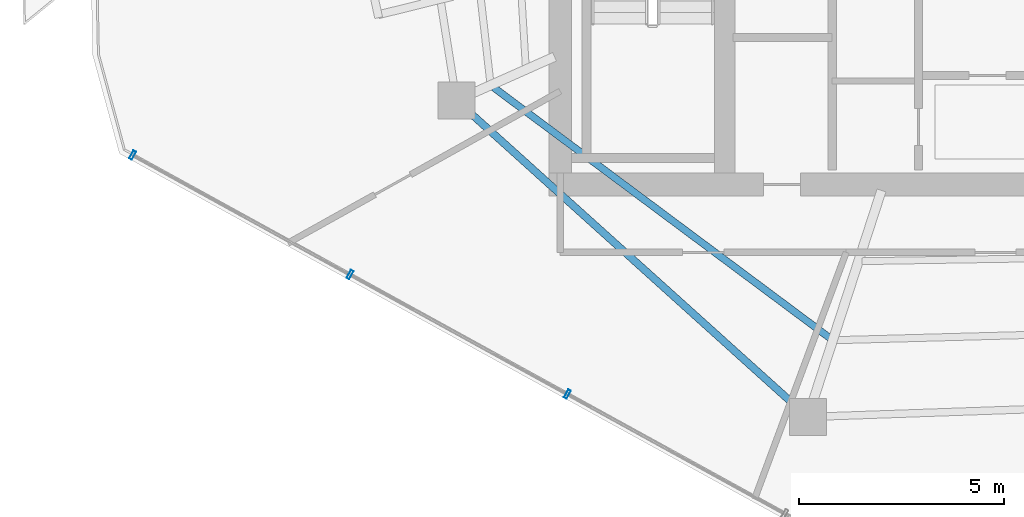
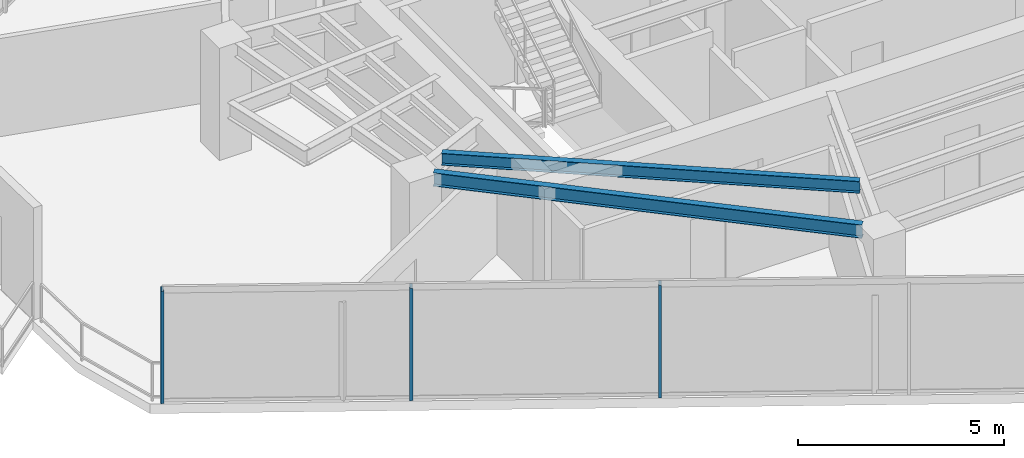
# One storey, part 2 of 19: 3 members, 2 beams, 1 element without a shape of its own.
"""IFC4 building model written with IfcOpenShell, lengths in metres."""

import ifcopenshell
import ifcopenshell.guid

model = None  # the IFC model being written
_history = None  # IfcOwnerHistory: only IFC2X3 demands one
_inside = {}  # id of a spatial element -> (the spatial element, [elements in it])
_under = {}  # id of a project, library or spatial element -> (it, [spatial elements below it])
_declared = {}  # id of a project -> (the project, [libraries it declares])
_typed = {}  # id of a type object -> (the type object, [elements of that type])
_made_of = {}  # id of a material, layer set ... -> (it, [elements and type objects made of it])


def new_model(schema):
    """Start an empty IFC model of exactly this schema.

    Asked for "IFC4X3", IfcOpenShell would pick the latest addendum, in which some entities
    have other attributes; the version numbers below select the first issue.
    IFC2X3 requires an IfcOwnerHistory on every rooted entity: one is made here for all.
    """
    global model, _history
    if schema == "IFC4X3":
        model = ifcopenshell.file(schema_version=(4, 3, 0, 0))
    else:
        model = ifcopenshell.file(schema=schema)
    _inside.clear()
    _under.clear()
    _declared.clear()
    _typed.clear()
    _made_of.clear()
    _history = None
    if model.schema == "IFC2X3":
        org = make("IfcOrganization", Name="unknown")
        user = make(
            "IfcPersonAndOrganization",
            ThePerson=make("IfcPerson", FamilyName="unknown"),
            TheOrganization=org,
        )
        app = make(
            "IfcApplication",
            ApplicationDeveloper=org,
            Version="unknown",
            ApplicationFullName="unknown",
            ApplicationIdentifier="unknown",
        )
        _history = make(
            "IfcOwnerHistory",
            OwningUser=user,
            OwningApplication=app,
            ChangeAction="ADDED",
            CreationDate=0,
        )
    return model


def make(cls, **values):
    """One entity of the class cls with the attributes given. An attribute that is None is left unset."""
    return model.create_entity(
        cls, **{name: value for name, value in values.items() if value is not None}
    )


def rooted(cls, **values):
    """An entity with a GlobalId (a new one), such as an element, a storey or a relation."""
    return make(cls, GlobalId=ifcopenshell.guid.new(), OwnerHistory=_history, **values)


def si_unit(unit_type, name, prefix=None):
    """IfcSIUnit, for example si_unit("LENGTHUNIT", "METRE", prefix="MILLI")."""
    return make("IfcSIUnit", UnitType=unit_type, Prefix=prefix, Name=name)


def assignment(units):
    """IfcUnitAssignment: the units of a project."""
    return None if units is None else make("IfcUnitAssignment", Units=units)


def point(xyz):
    """IfcCartesianPoint."""
    return None if xyz is None else make("IfcCartesianPoint", Coordinates=xyz)


def direction(xyz):
    """IfcDirection."""
    return None if xyz is None else make("IfcDirection", DirectionRatios=xyz)


def frame(location, z_axis=None, x_axis=None):
    """IfcAxis2Placement3D, a coordinate frame: its origin and axes. An axis left out is left unset."""
    return make(
        "IfcAxis2Placement3D",
        Location=point(location),
        Axis=direction(z_axis),
        RefDirection=direction(x_axis),
    )


def frame_2d(location, x_axis=None):
    """IfcAxis2Placement2D, a coordinate frame in the plane: its origin and x axis."""
    return make(
        "IfcAxis2Placement2D", Location=point(location), RefDirection=direction(x_axis)
    )


def origin():
    """The frame at (0, 0, 0) with its axes left unset."""
    return frame((0.0, 0.0, 0.0))


def origin_2d():
    """The frame at (0, 0) in the plane with its x axis left unset."""
    return frame_2d((0.0, 0.0))


def place(relative_to, where):
    """IfcLocalPlacement: puts the frame where relative to a parent placement (None: the world)."""
    return make(
        "IfcLocalPlacement", PlacementRelTo=relative_to, RelativePlacement=where
    )


def context(
    kind, dimensions, precision=None, world=None, true_north=None, identifier=None
):
    """IfcGeometricRepresentationContext, for example the 3D "Model" context."""
    return make(
        "IfcGeometricRepresentationContext",
        ContextIdentifier=identifier,
        ContextType=kind,
        CoordinateSpaceDimension=dimensions,
        Precision=precision,
        WorldCoordinateSystem=world,
        TrueNorth=true_north,
    )


def subcontext(parent, identifier, kind, view, scale=None):
    """IfcGeometricRepresentationSubContext, for example "Body" below "Model"."""
    return make(
        "IfcGeometricRepresentationSubContext",
        ContextIdentifier=identifier,
        ContextType=kind,
        ParentContext=parent,
        TargetScale=scale,
        TargetView=view,
    )


def project(units=None, contexts=None):
    """IfcProject with its units and contexts."""
    return rooted(
        "IfcProject",
        Name="project",
        RepresentationContexts=contexts,
        UnitsInContext=assignment(units),
    )


def spatial(cls, under=None, at=None, **own):
    """A site, building, storey or space (cls), placed at a placement, below another one or the project."""
    s = rooted(cls, ObjectPlacement=at, **own)
    if under is not None:
        _under.setdefault(under.id(), (under, []))[1].append(s)
    return s


def profile(cls, at=None, kind="AREA", **sizes):
    """A parametric profile (cls). Its sizes go by their IFC names, for example OverallWidth=200.0."""
    return make(cls, ProfileType=kind, Position=at, **sizes)


def hollow_rectangle(**sizes):
    """IfcRectangleHollowProfileDef."""
    return profile("IfcRectangleHollowProfileDef", **sizes)


def i_section(**sizes):
    """IfcIShapeProfileDef."""
    return profile("IfcIShapeProfileDef", **sizes)


def extrude(swept, where, along, depth):
    """IfcExtrudedAreaSolid: the profile swept, set in the frame where, extruded along a direction by depth."""
    return make(
        "IfcExtrudedAreaSolid",
        SweptArea=swept,
        Position=where,
        ExtrudedDirection=direction(along),
        Depth=depth,
    )


def shape(context_of_items, identifier, shape_type, items):
    """IfcShapeRepresentation: the items that make up one representation, for example the "Body"."""
    return make(
        "IfcShapeRepresentation",
        ContextOfItems=context_of_items,
        RepresentationIdentifier=identifier,
        RepresentationType=shape_type,
        Items=items,
    )


def material(Name=None, Category=None):
    """IfcMaterial."""
    return make("IfcMaterial", Name=Name, Category=Category)


def layer(
    of_material, thickness, ventilated=None, Name=None, Category=None, Priority=None
):
    """IfcMaterialLayer: one layer of a wall or slab, of a material (None: an air gap)."""
    return make(
        "IfcMaterialLayer",
        Material=of_material,
        LayerThickness=thickness,
        IsVentilated=ventilated,
        Name=Name,
        Category=Category,
        Priority=Priority,
    )


def layer_set(layers, Name=None):
    """IfcMaterialLayerSet."""
    return make("IfcMaterialLayerSet", MaterialLayers=layers, LayerSetName=Name)


def material_profile(
    of_material, cross_section, Name=None, Category=None, Priority=None
):
    """IfcMaterialProfile: a cross section and its material."""
    return make(
        "IfcMaterialProfile",
        Name=Name,
        Material=of_material,
        Profile=cross_section,
        Priority=Priority,
        Category=Category,
    )


def profile_set(profiles, Name=None, composite=None):
    """IfcMaterialProfileSet."""
    return make(
        "IfcMaterialProfileSet",
        Name=Name,
        MaterialProfiles=profiles,
        CompositeProfile=composite,
    )


def made_of(thing, what):
    """Note that an element or type object is made of a material, layer set ...; save() writes the relation."""
    if what is not None:
        _made_of.setdefault(what.id(), (what, []))[1].append(thing)
    return thing


def type_object(cls, material=None, **own):
    """A type object (cls), such as IfcWallType, which elements share."""
    return made_of(rooted(cls, **own), material)


def element(
    cls,
    number,
    at=None,
    inside=None,
    cuts=None,
    type_object=None,
    material=None,
    context=None,
    identifier="Body",
    shape_type=None,
    held_by="IfcProductDefinitionShape",
    body=None,
    shapes=None,
    **own,
):
    """One element of the class cls, such as IfcWall. Its Tag is "e" and its number.

    at: its placement. inside: the storey or other place that contains it. cuts: it is an
    opening in that element (IfcRelVoidsElement). A single representation is given by context,
    identifier, shape_type and body (its items); several are given by shapes. held_by: the class
    of the entity that holds the representations. save() writes the other relations.
    """
    e = rooted(cls, Tag="e%d" % number, ObjectPlacement=at, **own)
    if body is not None:
        shapes = [shape(context, identifier, shape_type, body)]
    if shapes is not None:
        e.Representation = make(held_by, Representations=shapes)
    if inside is not None:
        _inside.setdefault(inside.id(), (inside, []))[1].append(e)
    if cuts is not None:
        rooted(
            "IfcRelVoidsElement", RelatingBuildingElement=cuts, RelatedOpeningElement=e
        )
    if type_object is not None:
        _typed.setdefault(type_object.id(), (type_object, []))[1].append(e)
    return made_of(e, material)


def aggregate(whole, parts):
    """IfcRelAggregates: a whole, such as a stair, and the parts it consists of."""
    return rooted("IfcRelAggregates", RelatingObject=whole, RelatedObjects=parts)


def save(model, path):
    """Write the relations noted so far, then the file.

    IfcRelAggregates (storeys below a building ...), IfcRelContainedInSpatialStructure (elements
    in a storey), IfcRelDefinesByType, IfcRelAssociatesMaterial and IfcRelDeclares: one each for
    every whole, place, type object, material and project.
    """
    for whole, parts in _under.values():
        aggregate(whole, parts)
    for where, things in _inside.values():
        rooted(
            "IfcRelContainedInSpatialStructure",
            RelatedElements=things,
            RelatingStructure=where,
        )
    for kind, things in _typed.values():
        rooted("IfcRelDefinesByType", RelatedObjects=things, RelatingType=kind)
    for what, things in _made_of.values():
        rooted("IfcRelAssociatesMaterial", RelatedObjects=things, RelatingMaterial=what)
    for by, libraries in _declared.values():
        rooted("IfcRelDeclares", RelatingContext=by, RelatedDefinitions=libraries)
    model.write(path)


model = new_model("IFC4")

# Units and contexts
model_context = context("Model", 3, precision=1e-05, world=origin(), true_north=direction((0.0, 1.0)))
body_context = subcontext(model_context, "Body", "Model", "MODEL_VIEW")
ifc_project = project(units=[si_unit("LENGTHUNIT", "METRE"), si_unit("AREAUNIT", "SQUARE_METRE"), si_unit("VOLUMEUNIT", "CUBIC_METRE"), si_unit("PLANEANGLEUNIT", "RADIAN"), si_unit("MASSUNIT", "GRAM", prefix="KILO")], contexts=[model_context])

# Site, building, storey
site_placement = place(None, origin())
site = spatial("IfcSite", under=ifc_project, at=site_placement, CompositionType="ELEMENT")
building_placement = place(site_placement, origin())
building = spatial("IfcBuilding", under=site, at=building_placement, Name="Qarnah Convention Tower", CompositionType="ELEMENT")
storey_placement = place(building_placement, frame((0.0, 0.0, 184.199951171875)))
storey = spatial("IfcBuildingStorey", under=building, at=storey_placement, Name="L49", CompositionType="ELEMENT", Elevation=184.199951171875)

# Beams
ifc_material_1 = material(Name="Structural steel S355JR", Category="steel")
ifc_material_profile_1 = material_profile(ifc_material_1, i_section(OverallWidth=0.172119140625, OverallDepth=0.35595703125, WebThickness=0.007080078125, FlangeThickness=0.011962890625, at=origin_2d()), Name="W360X51")
ifc_profile_set_1 = profile_set([ifc_material_profile_1], Name="Structural steel S355JR")
beam_type_1 = type_object("IfcBeamType", Name="BM-JST-W360", PredefinedType="JOIST", material=ifc_profile_set_1)
beam_1_placement = place(storey_placement, frame((25.178955078125, 20.9619140625, 3.14208984375), z_axis=(0.801850688626, -0.597524454019, 0.0), x_axis=(0.597524454019, 0.801850688626, 0.0)))
element("IfcBeam", 1, at=beam_1_placement, inside=storey, type_object=beam_type_1, Name="L49 joist BM-L49-SJST-06", PredefinedType="JOIST", context=body_context, shape_type="SweptSolid", body=[
    extrude(i_section(OverallWidth=0.172119140625, OverallDepth=0.35595703125, WebThickness=0.007080078125, FlangeThickness=0.011962890625, at=origin_2d()), origin(), (0.0, 0.0, 1.0), 10.205322265625),
])
ifc_material_profile_2 = material_profile(ifc_material_1, i_section(OverallWidth=0.179931640625, OverallDepth=0.39990234375, WebThickness=0.009033203125, FlangeThickness=0.013916015625, at=origin_2d()), Name="IPE400")
ifc_profile_set_2 = profile_set([ifc_material_profile_2], Name="Structural steel S355JR")
beam_type_2 = type_object("IfcBeamType", Name="BM-SPN-IPE400", PredefinedType="SPANDREL", material=ifc_profile_set_2)
beam_2_placement = place(storey_placement, frame((24.60009765625, 20.35107421875, 3.1201171875), z_axis=(0.743102275255, -0.669177860147, 0.0), x_axis=(0.669177860147, 0.743102275255, 0.0)))
element("IfcBeam", 2, at=beam_2_placement, inside=storey, type_object=beam_type_2, Name="L49 spandrel BM-L49-SPN-06", PredefinedType="SPANDREL", context=body_context, shape_type="SweptSolid", body=[
    extrude(i_section(OverallWidth=0.179931640625, OverallDepth=0.39990234375, WebThickness=0.009033203125, FlangeThickness=0.013916015625, at=origin_2d()), origin(), (0.0, 0.0, 1.0), 10.630859375),
])

# Curtain wall, members
ifc_material_2 = material(Name="Tempered Low-E dark glass", Category="glass")
ifc_layer = layer(ifc_material_2, 0.174072265625)
ifc_layer_set = layer_set([ifc_layer], Name="Tempered Low-E dark glass")
curtain_wall_type = type_object("IfcCurtainWallType", Name="CWS-04", PredefinedType="NOTDEFINED", material=ifc_layer_set)
curtain_wall_placement = place(storey_placement, origin())
curtain_wall = element("IfcCurtainWall", 3, at=curtain_wall_placement, inside=storey, type_object=curtain_wall_type, Name="L49 unitised curtain wall CW-L49-F3", PredefinedType="NOTDEFINED")
ifc_material_3 = material(Name="Black anodised aluminium", Category="aluminium")
ifc_material_profile_3 = material_profile(ifc_material_3, hollow_rectangle(XDim=0.074951171875, YDim=0.219970703125, WallThickness=0.0048828125, at=origin_2d()), Name="MUL-75X220")
ifc_profile_set_3 = profile_set([ifc_material_profile_3], Name="Black anodised aluminium")
member_type = type_object("IfcMemberType", Name="MUL-T4", PredefinedType="MULLION", material=ifc_profile_set_3)
member_1_placement = place(storey_placement, frame((26.976318359375, 13.496826171875, 0.0), z_axis=(0.0, 0.0, 1.0), x_axis=(-0.876301920967, 0.481762330729, 0.0)))
member_1 = element("IfcMember", 4, at=member_1_placement, type_object=member_type, Name="CW-L49-F3 mullion 4", PredefinedType="MULLION", context=body_context, shape_type="SweptSolid", body=[
    extrude(hollow_rectangle(XDim=0.074951171875, YDim=0.219970703125, WallThickness=0.0048828125, at=origin_2d()), origin(), (0.0, 0.0, 1.0), 3.320068359375),
])
member_2_placement = place(storey_placement, frame((21.685546875, 16.405517578125, 0.0), z_axis=(0.0, 0.0, 1.0), x_axis=(-0.876301920967, 0.481762330729, 0.0)))
member_2 = element("IfcMember", 5, at=member_2_placement, type_object=member_type, Name="CW-L49-F3 mullion 5", PredefinedType="MULLION", context=body_context, shape_type="SweptSolid", body=[
    extrude(hollow_rectangle(XDim=0.074951171875, YDim=0.219970703125, WallThickness=0.0048828125, at=origin_2d()), origin(), (0.0, 0.0, 1.0), 3.320068359375),
])
member_3_placement = place(storey_placement, frame((16.39501953125, 19.31396484375, 0.0), z_axis=(0.0, 0.0, 1.0), x_axis=(-0.876301920967, 0.481762330729, 0.0)))
member_3 = element("IfcMember", 6, at=member_3_placement, type_object=member_type, Name="CW-L49-F3 mullion 6", PredefinedType="MULLION", context=body_context, shape_type="SweptSolid", body=[
    extrude(hollow_rectangle(XDim=0.074951171875, YDim=0.219970703125, WallThickness=0.0048828125, at=origin_2d()), origin(), (0.0, 0.0, 1.0), 3.320068359375),
])
aggregate(curtain_wall, [member_1, member_2, member_3])

save(model, "model.ifc")
